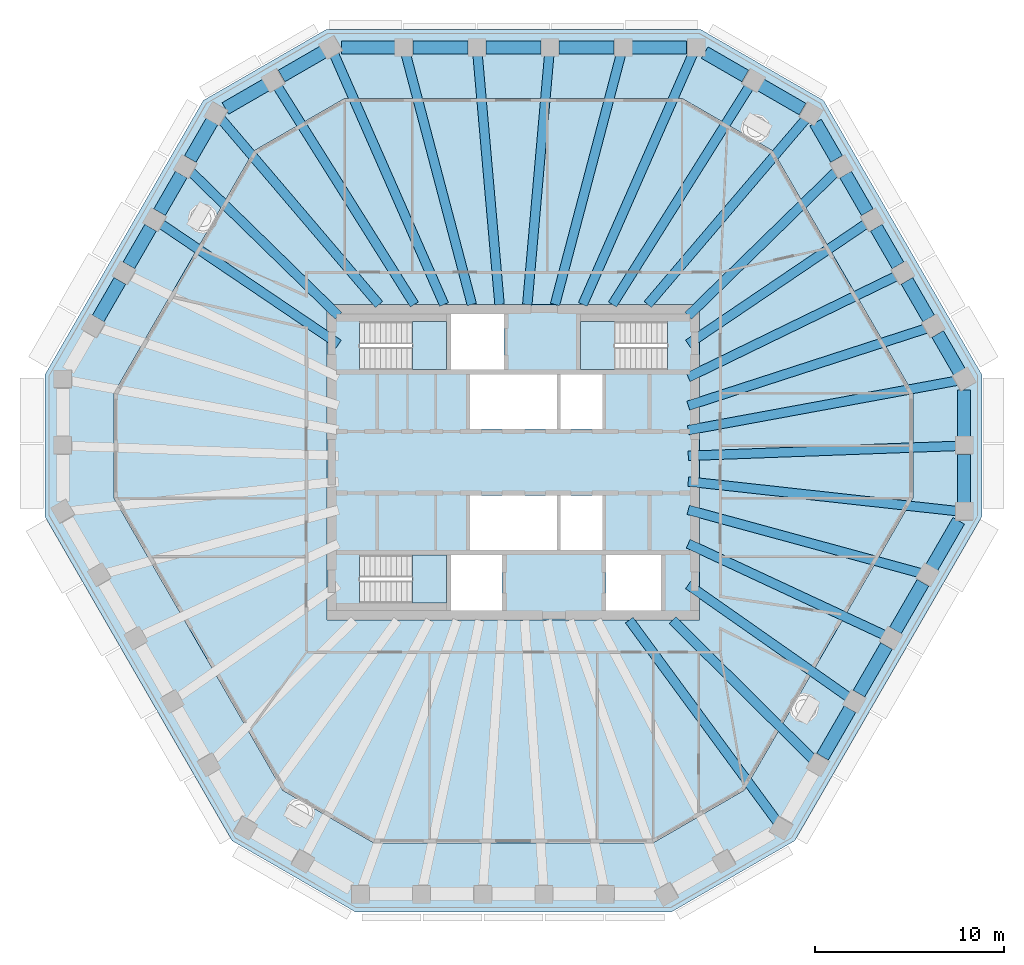
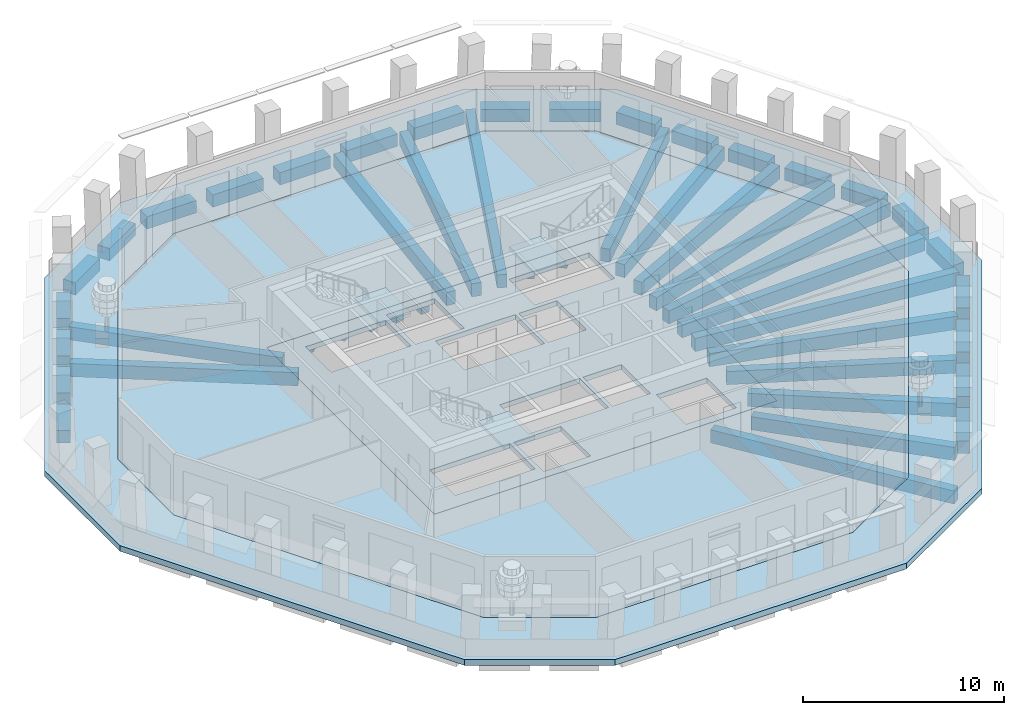
# One storey, part 2 of 12: 48 beams, 6 slabs, 3 elements without a shape of their own.
"""IFC4 building model written with IfcOpenShell, lengths in metres."""

from ifc_helpers import new_model, si_unit, direction, frame, origin, origin_2d, place, context, subcontext, project, spatial, polyline, rectangle, outline, extrude, material, layer, layer_set, material_profile, profile_set, type_object, element, aggregate, save


model = new_model("IFC4")

# Units and contexts
model_context = context("Model", 3, precision=1e-05, world=origin(), true_north=direction((0.0, 1.0)))
body_context = subcontext(model_context, "Body", "Model", "MODEL_VIEW")
ifc_project = project(units=[si_unit("LENGTHUNIT", "METRE"), si_unit("AREAUNIT", "SQUARE_METRE"), si_unit("VOLUMEUNIT", "CUBIC_METRE"), si_unit("PLANEANGLEUNIT", "RADIAN"), si_unit("MASSUNIT", "GRAM", prefix="KILO")], contexts=[model_context])

# Site, building, storey
site_placement = place(None, origin())
site = spatial("IfcSite", under=ifc_project, at=site_placement, CompositionType="ELEMENT")
building_placement = place(site_placement, origin())
building = spatial("IfcBuilding", under=site, at=building_placement, Name="Frailejon Research Tower", CompositionType="ELEMENT")
storey_placement = place(building_placement, frame((0.0, 0.0, 291.0)))
storey = spatial("IfcBuildingStorey", under=building, at=storey_placement, Name="L64", CompositionType="ELEMENT", Elevation=291.0)

# Beams
ifc_material_1 = material(Name="Concrete C60/75", Category="concrete")
ifc_material_profile_1 = material_profile(ifc_material_1, rectangle(XDim=0.5, YDim=0.800048828125, at=origin_2d()), Name="Girder 500x800")
ifc_profile_set_1 = profile_set([ifc_material_profile_1], Name="Concrete C60/75")
beam_type_1 = type_object("IfcBeamType", Name="Girder 500x800", PredefinedType="BEAM", material=ifc_profile_set_1)
beam_1_placement = place(storey_placement, frame((23.505859375, -2.586181640625, -0.699951171875), z_axis=(-0.994000877185, 0.109372099533, 0.0), x_axis=(-0.109372099533, -0.994000877185, 0.0)))
element("IfcBeam", 1, at=beam_1_placement, inside=storey, type_object=beam_type_1, Name="Girder 500x800", PredefinedType="BEAM", context=body_context, shape_type="SweptSolid", body=[
    extrude(rectangle(XDim=0.5, YDim=0.800048828125, at=origin_2d()), origin(), (0.0, 0.0, 1.0), 14.341796875),
])
beam_2_placement = place(storey_placement, frame((23.506591796875, 0.867919921875, -0.699951171875), z_axis=(-0.999319117049, -0.036895830403, 0.0), x_axis=(0.036895830403, -0.999319117049, 0.0)))
element("IfcBeam", 2, at=beam_2_placement, inside=storey, type_object=beam_type_1, Name="Girder 500x800", PredefinedType="BEAM", context=body_context, shape_type="SweptSolid", body=[
    extrude(rectangle(XDim=0.5, YDim=0.800048828125, at=origin_2d()), origin(), (0.0, 0.0, 1.0), 14.266357421875),
])
beam_3_placement = place(storey_placement, frame((23.4833984375, 4.31787109375, -0.699951171875), z_axis=(-0.983511667584, -0.180844683988, 0.0), x_axis=(0.180844683988, -0.983511667584, 0.0)))
element("IfcBeam", 3, at=beam_3_placement, inside=storey, type_object=beam_type_1, Name="Girder 500x800", PredefinedType="BEAM", context=body_context, shape_type="SweptSolid", body=[
    extrude(rectangle(XDim=0.5, YDim=0.800048828125, at=origin_2d()), origin(), (0.0, 0.0, 1.0), 14.471923828125),
])
beam_4_placement = place(storey_placement, frame((21.88818359375, 7.091552734375, -0.699951171875), z_axis=(-0.951314310857, -0.308222455312, 0.0), x_axis=(0.308222455312, -0.951314310857, 0.0)))
element("IfcBeam", 4, at=beam_4_placement, inside=storey, type_object=beam_type_1, Name="Girder 500x800", PredefinedType="BEAM", context=body_context, shape_type="SweptSolid", body=[
    extrude(rectangle(XDim=0.5, YDim=0.800048828125, at=origin_2d()), origin(), (0.0, 0.0, 1.0), 13.284912109375),
])
beam_5_placement = place(storey_placement, frame((20.2900390625, 9.86572265625, -0.699951171875), z_axis=(-0.899328316815, -0.437274031442, 0.0), x_axis=(0.437274031442, -0.899328316815, 0.0)))
element("IfcBeam", 5, at=beam_5_placement, inside=storey, type_object=beam_type_1, Name="Girder 500x800", PredefinedType="BEAM", context=body_context, shape_type="SweptSolid", body=[
    extrude(rectangle(XDim=0.5, YDim=0.800048828125, at=origin_2d()), origin(), (0.0, 0.0, 1.0), 12.27587890625),
])
beam_6_placement = place(storey_placement, frame((18.68896484375, 12.638916015625, -0.699951171875), z_axis=(-0.828360029245, -0.560196092407, 0.0), x_axis=(0.560196092407, -0.828360029245, 0.0)))
element("IfcBeam", 6, at=beam_6_placement, inside=storey, type_object=beam_type_1, Name="Girder 500x800", PredefinedType="BEAM", context=body_context, shape_type="SweptSolid", body=[
    extrude(rectangle(XDim=0.5, YDim=0.800048828125, at=origin_2d()), origin(), (0.0, 0.0, 1.0), 11.394775390625),
])
beam_7_placement = place(storey_placement, frame((17.091552734375, 15.397216796875, -0.699951171875), z_axis=(-0.715922424811, -0.698179834751, 0.0), x_axis=(0.698179834751, -0.715922424811, 0.0)))
element("IfcBeam", 7, at=beam_7_placement, inside=storey, type_object=beam_type_1, Name="Girder 500x800", PredefinedType="BEAM", context=body_context, shape_type="SweptSolid", body=[
    extrude(rectangle(XDim=0.5, YDim=0.800048828125, at=origin_2d()), origin(), (0.0, 0.0, 1.0), 10.953125),
])
beam_8_placement = place(storey_placement, frame((15.494873046875, 18.194580078125, -0.699951171875), z_axis=(-0.648365547361, -0.761329177817, 0.0), x_axis=(0.761329177817, -0.648365547361, 0.0)))
element("IfcBeam", 8, at=beam_8_placement, inside=storey, type_object=beam_type_1, Name="Girder 500x800", PredefinedType="BEAM", context=body_context, shape_type="SweptSolid", body=[
    extrude(rectangle(XDim=0.5, YDim=0.800048828125, at=origin_2d()), origin(), (0.0, 0.0, 1.0), 12.9306640625),
])
beam_9_placement = place(storey_placement, frame((12.505126953125, 19.923583984375, -0.699951171875), z_axis=(-0.531615242358, -0.846985970423, 0.0), x_axis=(0.846985970423, -0.531615242358, 0.0)))
element("IfcBeam", 9, at=beam_9_placement, inside=storey, type_object=beam_type_1, Name="Girder 500x800", PredefinedType="BEAM", context=body_context, shape_type="SweptSolid", body=[
    extrude(rectangle(XDim=0.5, YDim=0.800048828125, at=origin_2d()), origin(), (0.0, 0.0, 1.0), 13.664306640625),
])
beam_10_placement = place(storey_placement, frame((9.496826171875, 21.6123046875, -0.699951171875), z_axis=(-0.402291250072, -0.915511742205, 0.0), x_axis=(0.915511742205, -0.402291250072, 0.0)))
element("IfcBeam", 10, at=beam_10_placement, inside=storey, type_object=beam_type_1, Name="Girder 500x800", PredefinedType="BEAM", context=body_context, shape_type="SweptSolid", body=[
    extrude(rectangle(XDim=0.5, YDim=0.800048828125, at=origin_2d()), origin(), (0.0, 0.0, 1.0), 14.486083984375),
])
beam_11_placement = place(storey_placement, frame((5.7001953125, 21.6201171875, -0.699951171875), z_axis=(-0.254947744434, -0.966954832248, 0.0), x_axis=(0.966954832248, -0.254947744434, 0.0)))
element("IfcBeam", 11, at=beam_11_placement, inside=storey, type_object=beam_type_1, Name="Girder 500x800", PredefinedType="BEAM", context=body_context, shape_type="SweptSolid", body=[
    extrude(rectangle(XDim=0.5, YDim=0.800048828125, at=origin_2d()), origin(), (0.0, 0.0, 1.0), 13.7236328125),
])
for number, where, z_axis, x_axis, name in (
    (12, (1.900390625, 21.62451171875, -0.699951171875), (-0.087538766298, -0.996161113673, 0.0), (0.996161113673, -0.087538766298, 0.0), "Girder 500x800"),
    (13, (-1.900390625, 21.62451171875, -0.699951171875), (0.087538766298, -0.996161113673, 0.0), (0.996161113673, 0.087538766298, 0.0), "Girder 500x800"),
):
    element("IfcBeam", number, at=place(storey_placement, frame(where, z_axis=z_axis, x_axis=x_axis)), inside=storey, type_object=beam_type_1, Name=name, PredefinedType="BEAM", context=body_context, shape_type="SweptSolid", body=[
        extrude(rectangle(XDim=0.5, YDim=0.800048828125, at=origin_2d()), origin(), (0.0, 0.0, 1.0), 13.32568359375),
    ])
beam_12_placement = place(storey_placement, frame((-5.7001953125, 21.6201171875, -0.699951171875), z_axis=(0.254947744434, -0.966954832248, 0.0), x_axis=(0.966954832248, 0.254947744434, 0.0)))
element("IfcBeam", 14, at=beam_12_placement, inside=storey, type_object=beam_type_1, Name="Girder 500x800", PredefinedType="BEAM", context=body_context, shape_type="SweptSolid", body=[
    extrude(rectangle(XDim=0.5, YDim=0.800048828125, at=origin_2d()), origin(), (0.0, 0.0, 1.0), 13.7236328125),
])
beam_13_placement = place(storey_placement, frame((-9.51318359375, 21.64990234375, -0.699951171875), z_axis=(0.402281809753, -0.915515890382, 0.0), x_axis=(0.915515890382, 0.402281809753, 0.0)))
element("IfcBeam", 15, at=beam_13_placement, inside=storey, type_object=beam_type_1, Name="Girder 500x800", PredefinedType="BEAM", context=body_context, shape_type="SweptSolid", body=[
    extrude(rectangle(XDim=0.5, YDim=0.800048828125, at=origin_2d()), origin(), (0.0, 0.0, 1.0), 14.527099609375),
])
beam_14_placement = place(storey_placement, frame((-12.505126953125, 19.923583984375, -0.699951171875), z_axis=(0.531615242358, -0.846985970423, 0.0), x_axis=(0.846985970423, 0.531615242358, 0.0)))
element("IfcBeam", 16, at=beam_14_placement, inside=storey, type_object=beam_type_1, Name="Girder 500x800", PredefinedType="BEAM", context=body_context, shape_type="SweptSolid", body=[
    extrude(rectangle(XDim=0.5, YDim=0.800048828125, at=origin_2d()), origin(), (0.0, 0.0, 1.0), 13.664306640625),
])
beam_15_placement = place(storey_placement, frame((-15.481201171875, 18.178466796875, -0.699951171875), z_axis=(0.648367817811, -0.761327244243, 0.0), x_axis=(0.761327244243, 0.648367817811, 0.0)))
element("IfcBeam", 17, at=beam_15_placement, inside=storey, type_object=beam_type_1, Name="Girder 500x800", PredefinedType="BEAM", context=body_context, shape_type="SweptSolid", body=[
    extrude(rectangle(XDim=0.5, YDim=0.800048828125, at=origin_2d()), origin(), (0.0, 0.0, 1.0), 12.909423828125),
])
beam_16_placement = place(storey_placement, frame((-17.091552734375, 15.397216796875, -0.699951171875), z_axis=(0.715922424811, -0.698179834751, 0.0), x_axis=(0.698179834751, 0.715922424811, 0.0)))
element("IfcBeam", 18, at=beam_16_placement, inside=storey, type_object=beam_type_1, Name="Girder 500x800", PredefinedType="BEAM", context=body_context, shape_type="SweptSolid", body=[
    extrude(rectangle(XDim=0.5, YDim=0.800048828125, at=origin_2d()), origin(), (0.0, 0.0, 1.0), 10.953125),
])
beam_17_placement = place(storey_placement, frame((-18.68896484375, 12.638916015625, -0.699951171875), z_axis=(0.828360029245, -0.560196092407, 0.0), x_axis=(0.560196092407, 0.828360029245, 0.0)))
element("IfcBeam", 19, at=beam_17_placement, inside=storey, type_object=beam_type_1, Name="Girder 500x800", PredefinedType="BEAM", context=body_context, shape_type="SweptSolid", body=[
    extrude(rectangle(XDim=0.5, YDim=0.800048828125, at=origin_2d()), origin(), (0.0, 0.0, 1.0), 11.394775390625),
])
beam_18_placement = place(storey_placement, frame((13.968505859375, -19.03076171875, -0.699951171875), z_axis=(-0.591712711281, 0.806148911373, 0.0), x_axis=(-0.806148911373, -0.591712711281, 0.0)))
element("IfcBeam", 20, at=beam_18_placement, inside=storey, type_object=beam_type_1, Name="Girder 500x800", PredefinedType="BEAM", context=body_context, shape_type="SweptSolid", body=[
    extrude(rectangle(XDim=0.5, YDim=0.800048828125, at=origin_2d()), origin(), (0.0, 0.0, 1.0), 13.2490234375),
])
beam_19_placement = place(storey_placement, frame((15.873291015625, -15.74658203125, -0.699951171875), z_axis=(-0.70993712297, 0.704265064751, 0.0), x_axis=(-0.704265064751, -0.70993712297, 0.0)))
element("IfcBeam", 21, at=beam_19_placement, inside=storey, type_object=beam_type_1, Name="Girder 500x800", PredefinedType="BEAM", context=body_context, shape_type="SweptSolid", body=[
    extrude(rectangle(XDim=0.5, YDim=0.800048828125, at=origin_2d()), origin(), (0.0, 0.0, 1.0), 10.50244140625),
])
beam_20_placement = place(storey_placement, frame((17.777099609375, -12.4580078125, -0.699951171875), z_axis=(-0.818933293048, 0.573888718775, 0.0), x_axis=(-0.573888718775, -0.818933293048, 0.0)))
element("IfcBeam", 22, at=beam_20_placement, inside=storey, type_object=beam_type_1, Name="Girder 500x800", PredefinedType="BEAM", context=body_context, shape_type="SweptSolid", body=[
    extrude(rectangle(XDim=0.5, YDim=0.800048828125, at=origin_2d()), origin(), (0.0, 0.0, 1.0), 10.412353515625),
])
beam_21_placement = place(storey_placement, frame((19.677490234375, -9.16650390625, -0.699951171875), z_axis=(-0.906465965262, 0.422278881572, 0.0), x_axis=(-0.422278881572, -0.906465965262, 0.0)))
element("IfcBeam", 23, at=beam_21_placement, inside=storey, type_object=beam_type_1, Name="Girder 500x800", PredefinedType="BEAM", context=body_context, shape_type="SweptSolid", body=[
    extrude(rectangle(XDim=0.5, YDim=0.800048828125, at=origin_2d()), origin(), (0.0, 0.0, 1.0), 11.50341796875),
])
beam_22_placement = place(storey_placement, frame((21.573486328125, -5.87353515625, -0.699951171875), z_axis=(-0.9648775399, 0.262700081836, 0.0), x_axis=(-0.262700081836, -0.9648775399, 0.0)))
element("IfcBeam", 24, at=beam_22_placement, inside=storey, type_object=beam_type_1, Name="Girder 500x800", PredefinedType="BEAM", context=body_context, shape_type="SweptSolid", body=[
    extrude(rectangle(XDim=0.5, YDim=0.800048828125, at=origin_2d()), origin(), (0.0, 0.0, 1.0), 12.77197265625),
])
ifc_material_2 = material(Name="Concrete C60/75", Category="concrete")
ifc_material_profile_2 = material_profile(ifc_material_2, rectangle(XDim=0.699951171875, YDim=0.75, at=origin_2d()), Name="Spandrel 700x750")
ifc_profile_set_2 = profile_set([ifc_material_profile_2], Name="Concrete C60/75")
beam_type_2 = type_object("IfcBeamType", Name="Spandrel 700x750", PredefinedType="BEAM", material=ifc_profile_set_2)
beam_23_placement = place(storey_placement, frame((23.831787109375, -2.14697265625, -0.72509765625), z_axis=(0.0, 1.0, 0.0), x_axis=(-1.0, 0.0, 0.0)))
element("IfcBeam", 25, at=beam_23_placement, inside=storey, type_object=beam_type_2, Name="Spandrel 700x750", PredefinedType="BEAM", context=body_context, shape_type="SweptSolid", body=[
    extrude(rectangle(XDim=0.699951171875, YDim=0.75, at=origin_2d()), origin(), (0.0, 0.0, 1.0), 2.5517578125),
])
beam_24_placement = place(storey_placement, frame((23.831787109375, 1.35498046875, -0.72509765625), z_axis=(0.0, 1.0, 0.0), x_axis=(-1.0, 0.0, 0.0)))
element("IfcBeam", 26, at=beam_24_placement, inside=storey, type_object=beam_type_2, Name="Spandrel 700x750", PredefinedType="BEAM", context=body_context, shape_type="SweptSolid", body=[
    extrude(rectangle(XDim=0.699951171875, YDim=0.75, at=origin_2d()), origin(), (0.0, 0.0, 1.0), 2.478515625),
])
beam_25_placement = place(storey_placement, frame((23.59423828125, 4.793212890625, -0.72509765625), z_axis=(-0.499989105942, 0.866031693381, 0.0), x_axis=(-0.866031693381, -0.499989105942, 0.0)))
element("IfcBeam", 27, at=beam_25_placement, inside=storey, type_object=beam_type_2, Name="Spandrel 700x750", PredefinedType="BEAM", context=body_context, shape_type="SweptSolid", body=[
    extrude(rectangle(XDim=0.699951171875, YDim=0.75, at=origin_2d()), origin(), (0.0, 0.0, 1.0), 2.29833984375),
])
beam_26_placement = place(storey_placement, frame((21.97021484375, 7.6064453125, -0.72509765625), z_axis=(-0.500068767595, 0.865985697154, 0.0), x_axis=(-0.865985697154, -0.500068767595, 0.0)))
element("IfcBeam", 28, at=beam_26_placement, inside=storey, type_object=beam_type_2, Name="Spandrel 700x750", PredefinedType="BEAM", context=body_context, shape_type="SweptSolid", body=[
    extrude(rectangle(XDim=0.699951171875, YDim=0.75, at=origin_2d()), origin(), (0.0, 0.0, 1.0), 2.298583984375),
])
beam_27_placement = place(storey_placement, frame((20.345947265625, 10.419921875, -0.72509765625), z_axis=(-0.500035104473, 0.866005135259, 0.0), x_axis=(-0.866005135259, -0.500035104473, 0.0)))
element("IfcBeam", 29, at=beam_27_placement, inside=storey, type_object=beam_type_2, Name="Spandrel 700x750", PredefinedType="BEAM", context=body_context, shape_type="SweptSolid", body=[
    extrude(rectangle(XDim=0.699951171875, YDim=0.75, at=origin_2d()), origin(), (0.0, 0.0, 1.0), 2.298095703125),
])
beam_28_placement = place(storey_placement, frame((18.7216796875, 13.23291015625, -0.72509765625), z_axis=(-0.499989105942, 0.866031693381, 0.0), x_axis=(-0.866031693381, -0.499989105942, 0.0)))
element("IfcBeam", 30, at=beam_28_placement, inside=storey, type_object=beam_type_2, Name="Spandrel 700x750", PredefinedType="BEAM", context=body_context, shape_type="SweptSolid", body=[
    extrude(rectangle(XDim=0.699951171875, YDim=0.75, at=origin_2d()), origin(), (0.0, 0.0, 1.0), 2.29833984375),
])
beam_29_placement = place(storey_placement, frame((17.097412109375, 16.046142578125, -0.72509765625), z_axis=(-0.499963101113, 0.866046706318, 0.0), x_axis=(-0.866046706318, -0.499963101113, 0.0)))
element("IfcBeam", 31, at=beam_29_placement, inside=storey, type_object=beam_type_2, Name="Spandrel 700x750", PredefinedType="BEAM", context=body_context, shape_type="SweptSolid", body=[
    extrude(rectangle(XDim=0.699951171875, YDim=0.75, at=origin_2d()), origin(), (0.0, 0.0, 1.0), 2.224853515625),
])
beam_30_placement = place(storey_placement, frame((15.29931640625, 18.685546875, -0.72509765625), z_axis=(-0.866032638483, 0.499987468925, 0.0), x_axis=(-0.499987468925, -0.866032638483, 0.0)))
element("IfcBeam", 32, at=beam_30_placement, inside=storey, type_object=beam_type_2, Name="Spandrel 700x750", PredefinedType="BEAM", context=body_context, shape_type="SweptSolid", body=[
    extrude(rectangle(XDim=0.699951171875, YDim=0.75, at=origin_2d()), origin(), (0.0, 0.0, 1.0), 2.5517578125),
])
beam_31_placement = place(storey_placement, frame((12.2666015625, 20.4365234375, -0.72509765625), z_axis=(-0.866028115054, 0.499995303914, 0.0), x_axis=(-0.499995303914, -0.866028115054, 0.0)))
element("IfcBeam", 33, at=beam_31_placement, inside=storey, type_object=beam_type_2, Name="Spandrel 700x750", PredefinedType="BEAM", context=body_context, shape_type="SweptSolid", body=[
    extrude(rectangle(XDim=0.699951171875, YDim=0.75, at=origin_2d()), origin(), (0.0, 0.0, 1.0), 2.478515625),
])
for number, where, z_axis, x_axis, name in (
    (34, (9.170166015625, 21.949951171875, -0.72509765625), (-1.0, 0.0, 0.0), (0.0, -1.0, 0.0), "Spandrel 700x750"),
    (35, (5.31201171875, 21.949951171875, -0.72509765625), (-1.0, 0.0, 0.0), (0.0, -1.0, 0.0), "Spandrel 700x750"),
):
    element("IfcBeam", number, at=place(storey_placement, frame(where, z_axis=z_axis, x_axis=x_axis)), inside=storey, type_object=beam_type_2, Name=name, PredefinedType="BEAM", context=body_context, shape_type="SweptSolid", body=[
        extrude(rectangle(XDim=0.699951171875, YDim=0.75, at=origin_2d()), origin(), (0.0, 0.0, 1.0), 2.907958984375),
    ])
beam_32_placement = place(storey_placement, frame((1.4541015625, 21.949951171875, -0.72509765625), z_axis=(-1.0, 0.0, 0.0), x_axis=(0.0, -1.0, 0.0)))
element("IfcBeam", 36, at=beam_32_placement, inside=storey, type_object=beam_type_2, Name="Spandrel 700x750", PredefinedType="BEAM", context=body_context, shape_type="SweptSolid", body=[
    extrude(rectangle(XDim=0.699951171875, YDim=0.75, at=origin_2d()), origin(), (0.0, 0.0, 1.0), 2.908203125),
])
beam_33_placement = place(storey_placement, frame((-2.404052734375, 21.949951171875, -0.72509765625), z_axis=(-1.0, 0.0, 0.0), x_axis=(0.0, -1.0, 0.0)))
element("IfcBeam", 37, at=beam_33_placement, inside=storey, type_object=beam_type_2, Name="Spandrel 700x750", PredefinedType="BEAM", context=body_context, shape_type="SweptSolid", body=[
    extrude(rectangle(XDim=0.699951171875, YDim=0.75, at=origin_2d()), origin(), (0.0, 0.0, 1.0), 2.907958984375),
])
beam_34_placement = place(storey_placement, frame((-6.26220703125, 21.949951171875, -0.72509765625), z_axis=(-1.0, 0.0, 0.0), x_axis=(0.0, -1.0, 0.0)))
element("IfcBeam", 38, at=beam_34_placement, inside=storey, type_object=beam_type_2, Name="Spandrel 700x750", PredefinedType="BEAM", context=body_context, shape_type="SweptSolid", body=[
    extrude(rectangle(XDim=0.699951171875, YDim=0.75, at=origin_2d()), origin(), (0.0, 0.0, 1.0), 2.83447265625),
])
beam_35_placement = place(storey_placement, frame((-10.056640625, 21.71240234375, -0.72509765625), z_axis=(-0.866032638483, -0.499987468925, 0.0), x_axis=(0.499987468925, -0.866032638483, 0.0)))
element("IfcBeam", 39, at=beam_35_placement, inside=storey, type_object=beam_type_2, Name="Spandrel 700x750", PredefinedType="BEAM", context=body_context, shape_type="SweptSolid", body=[
    extrude(rectangle(XDim=0.699951171875, YDim=0.75, at=origin_2d()), origin(), (0.0, 0.0, 1.0), 2.5517578125),
])
beam_36_placement = place(storey_placement, frame((-13.08935546875, 19.96142578125, -0.72509765625), z_axis=(-0.866028115054, -0.499995303914, 0.0), x_axis=(0.499995303914, -0.866028115054, 0.0)))
element("IfcBeam", 40, at=beam_36_placement, inside=storey, type_object=beam_type_2, Name="Spandrel 700x750", PredefinedType="BEAM", context=body_context, shape_type="SweptSolid", body=[
    extrude(rectangle(XDim=0.699951171875, YDim=0.75, at=origin_2d()), origin(), (0.0, 0.0, 1.0), 2.478515625),
])
for number, where, z_axis, x_axis, name in (
    (41, (-15.9482421875, 18.03662109375, -0.72509765625), (-0.499989105942, -0.866031693381, 0.0), (0.866031693381, -0.499989105942, 0.0), "Spandrel 700x750"),
    (42, (-17.572509765625, 15.223388671875, -0.72509765625), (-0.499989105942, -0.866031693381, 0.0), (0.866031693381, -0.499989105942, 0.0), "Spandrel 700x750"),
):
    element("IfcBeam", number, at=place(storey_placement, frame(where, z_axis=z_axis, x_axis=x_axis)), inside=storey, type_object=beam_type_2, Name=name, PredefinedType="BEAM", context=body_context, shape_type="SweptSolid", body=[
        extrude(rectangle(XDim=0.699951171875, YDim=0.75, at=origin_2d()), origin(), (0.0, 0.0, 1.0), 2.29833984375),
    ])
beam_37_placement = place(storey_placement, frame((-19.19677734375, 12.41015625, -0.72509765625), z_axis=(-0.500035104473, -0.866005135259, 0.0), x_axis=(0.866005135259, -0.500035104473, 0.0)))
element("IfcBeam", 43, at=beam_37_placement, inside=storey, type_object=beam_type_2, Name="Spandrel 700x750", PredefinedType="BEAM", context=body_context, shape_type="SweptSolid", body=[
    extrude(rectangle(XDim=0.699951171875, YDim=0.75, at=origin_2d()), origin(), (0.0, 0.0, 1.0), 2.298095703125),
])
beam_38_placement = place(storey_placement, frame((-20.82080078125, 9.596923828125, -0.72509765625), z_axis=(-0.500068767595, -0.865985697154, 0.0), x_axis=(0.865985697154, -0.500068767595, 0.0)))
element("IfcBeam", 44, at=beam_38_placement, inside=storey, type_object=beam_type_2, Name="Spandrel 700x750", PredefinedType="BEAM", context=body_context, shape_type="SweptSolid", body=[
    extrude(rectangle(XDim=0.699951171875, YDim=0.75, at=origin_2d()), origin(), (0.0, 0.0, 1.0), 2.298583984375),
])
for number, where, z_axis, x_axis, name in (
    (45, (16.353271484375, -15.575439453125, -0.72509765625), (0.499940473352, 0.866059768783, 0.0), (-0.866059768783, 0.499940473352, 0.0), "Spandrel 700x750"),
    (46, (18.2822265625, -12.234130859375, -0.72509765625), (0.500039792765, 0.866002428202, 0.0), (-0.866002428202, 0.500039792765, 0.0), "Spandrel 700x750"),
):
    element("IfcBeam", number, at=place(storey_placement, frame(where, z_axis=z_axis, x_axis=x_axis)), inside=storey, type_object=beam_type_2, Name=name, PredefinedType="BEAM", context=body_context, shape_type="SweptSolid", body=[
        extrude(rectangle(XDim=0.699951171875, YDim=0.75, at=origin_2d()), origin(), (0.0, 0.0, 1.0), 2.907958984375),
    ])
beam_39_placement = place(storey_placement, frame((20.211181640625, -8.89306640625, -0.72509765625), z_axis=(0.50000343918, 0.866023418164, 0.0), x_axis=(-0.866023418164, 0.50000343918, 0.0)))
element("IfcBeam", 47, at=beam_39_placement, inside=storey, type_object=beam_type_2, Name="Spandrel 700x750", PredefinedType="BEAM", context=body_context, shape_type="SweptSolid", body=[
    extrude(rectangle(XDim=0.699951171875, YDim=0.75, at=origin_2d()), origin(), (0.0, 0.0, 1.0), 2.908203125),
])
beam_40_placement = place(storey_placement, frame((22.140380859375, -5.5517578125, -0.72509765625), z_axis=(0.499983401189, 0.8660349869, 0.0), x_axis=(-0.8660349869, 0.499983401189, 0.0)))
element("IfcBeam", 48, at=beam_40_placement, inside=storey, type_object=beam_type_2, Name="Spandrel 700x750", PredefinedType="BEAM", context=body_context, shape_type="SweptSolid", body=[
    extrude(rectangle(XDim=0.699951171875, YDim=0.75, at=origin_2d()), origin(), (0.0, 0.0, 1.0), 2.83447265625),
])

# Slabs
ifc_material_3 = material(Name="Concrete C50/60", Category="concrete")
ifc_layer_1 = layer(ifc_material_3, 0.300048828125)
ifc_layer_set_1 = layer_set([ifc_layer_1], Name="Core floor slab 300 C50/60")
slab_type_1 = type_object("IfcSlabType", Name="Core floor slab 300 C50/60", PredefinedType="FLOOR", material=ifc_layer_set_1)
slab_1_placement = place(storey_placement, frame((0.0, 0.0, -0.300048828125)))
element("IfcSlab", 49, at=slab_1_placement, inside=storey, type_object=slab_type_1, Name="Core floor slab", PredefinedType="FLOOR", context=body_context, shape_type="SweptSolid", body=[
    extrude(outline(polyline([(9.85009765625, -8.35009765625), (9.85009765625, 8.35009765625), (-9.85009765625, 8.35009765625), (-9.85009765625, -8.35009765625), (9.85009765625, -8.35009765625)]), holes=[polyline([(2.300048828125, 1.75), (2.300048828125, 4.64990234375), (-2.300048828125, 4.64990234375), (-2.300048828125, 1.75), (2.300048828125, 1.75)]), polyline([(4.699951171875, 1.75), (4.699951171875, 4.64990234375), (2.5, 4.64990234375), (2.5, 1.75), (4.699951171875, 1.75)]), polyline([(2.300048828125, -4.64990234375), (2.300048828125, -1.75), (-2.300048828125, -1.75), (-2.300048828125, -4.64990234375), (2.300048828125, -4.64990234375)]), polyline([(4.699951171875, -4.64990234375), (4.699951171875, -1.75), (2.5, -1.75), (2.5, -4.64990234375), (4.699951171875, -4.64990234375)]), polyline([(-8.14697265625, 4.89990234375), (-3.550048828125, 4.89990234375), (-3.550048828125, 7.449951171875), (-8.14697265625, 7.449951171875), (-8.14697265625, 4.89990234375)]), polyline([(-8.14697265625, -7.449951171875), (-3.550048828125, -7.449951171875), (-3.550048828125, -4.89990234375), (-8.14697265625, -4.89990234375), (-8.14697265625, -7.449951171875)]), polyline([(8.14697265625, 7.449951171875), (3.550048828125, 7.449951171875), (3.550048828125, 4.89990234375), (8.14697265625, 4.89990234375), (8.14697265625, 7.449951171875)]), polyline([(-0.60009765625, -7.85009765625), (-0.60009765625, -4.89990234375), (-3.300048828125, -4.89990234375), (-3.300048828125, -7.85009765625), (-0.60009765625, -7.85009765625)]), polyline([(7.800048828125, -7.85009765625), (7.800048828125, -4.89990234375), (4.89990234375, -4.89990234375), (4.89990234375, -7.85009765625), (7.800048828125, -7.85009765625)]), polyline([(-0.5, 4.89990234375), (-0.5, 7.85009765625), (-3.300048828125, 7.85009765625), (-3.300048828125, 4.89990234375), (-0.5, 4.89990234375)])]), origin(), (0.0, 0.0, 1.0), 0.300048828125),
])
ifc_material_4 = material(Name="Concrete C40/50", Category="concrete")
ifc_layer_2 = layer(ifc_material_4, 0.35009765625)
ifc_layer_set_2 = layer_set([ifc_layer_2], Name="Loggia slab 350")
slab_type_2 = type_object("IfcSlabType", Name="Loggia slab 350", PredefinedType="USERDEFINED", material=ifc_layer_set_2)
slab_2_placement = place(storey_placement, frame((0.0, 0.0, -0.35009765625)))
element("IfcSlab", 50, at=slab_2_placement, inside=storey, type_object=slab_type_2, Name="Loggia slab L64", ObjectType="LOGGIA", PredefinedType="USERDEFINED", context=body_context, shape_type="SweptSolid", body=[
    extrude(outline(polyline([(14.882080078125, -20.0234375), (8.37548828125, -23.77978515625), (-8.37548828125, -23.77978515625), (-14.882080078125, -20.0234375), (-24.78173828125, -2.876708984375), (-24.78173828125, 4.636474609375), (-16.40625, 19.1435546875), (-9.899658203125, 22.89990234375), (9.899658203125, 22.89990234375), (16.40625, 19.1435546875), (24.78173828125, 4.636474609375), (24.78173828125, -2.876708984375), (14.882080078125, -20.0234375)]), holes=[polyline([(21.1318359375, 3.658447265625), (13.734130859375, 16.471435546875), (8.921630859375, 19.25), (-8.921630859375, 19.25), (-13.734130859375, 16.471435546875), (-21.1318359375, 3.658447265625), (-21.1318359375, -1.898681640625), (-12.210205078125, -17.351318359375), (-7.397705078125, -20.1298828125), (7.397705078125, -20.1298828125), (12.210205078125, -17.351318359375), (21.1318359375, -1.898681640625), (21.1318359375, 3.658447265625)])]), origin(), (0.0, 0.0, 1.0), 0.35009765625),
])
ifc_material_5 = material(Name="Concrete C40/50", Category="concrete")
ifc_layer_3 = layer(ifc_material_5, 0.300048828125)
ifc_layer_set_3 = layer_set([ifc_layer_3], Name="Slab typical 300")
slab_type_3 = type_object("IfcSlabType", Name="Slab typical 300", PredefinedType="FLOOR", material=ifc_layer_set_3)
slab_3_placement = place(storey_placement, frame((0.0, 0.0, -0.300048828125)))
element("IfcSlab", 51, at=slab_3_placement, inside=storey, type_object=slab_type_3, Name="Floor slab L64", PredefinedType="FLOOR", context=body_context, shape_type="SweptSolid", body=[
    extrude(outline(polyline([(21.1318359375, -1.898681640625), (21.1318359375, 3.658447265625), (13.734130859375, 16.471435546875), (8.921630859375, 19.25), (-8.921630859375, 19.25), (-13.734130859375, 16.471435546875), (-21.1318359375, 3.658447265625), (-21.1318359375, -1.898681640625), (-12.210205078125, -17.351318359375), (-7.397705078125, -20.1298828125), (7.397705078125, -20.1298828125), (12.210205078125, -17.351318359375), (21.1318359375, -1.898681640625)]), holes=[polyline([(9.25, 8.35009765625), (9.85009765625, 8.35009765625), (9.85009765625, -8.35009765625), (9.25, -8.35009765625), (-9.25, -8.35009765625), (-9.85009765625, -8.35009765625), (-9.85009765625, 8.35009765625), (-9.25, 8.35009765625), (9.25, 8.35009765625)])]), origin(), (0.0, 0.0, 1.0), 0.300048828125),
])

# Stair, slab
ifc_material_6 = material(Name="Concrete C50/60", Category="concrete")
stair_type = type_object("IfcStairType", Name="Exit stair 22 risers", PredefinedType="HALF_TURN_STAIR", material=ifc_material_6)
stair_1_placement = place(storey_placement, origin())
stair_1 = element("IfcStair", 52, at=stair_1_placement, inside=storey, type_object=stair_type, Name="L64 Exit stair ST1", PredefinedType="HALF_TURN_STAIR")
ifc_material_7 = material(Name="Concrete C50/60", Category="concrete")
ifc_layer_4 = layer(ifc_material_7, 0.199951171875)
ifc_layer_set_4 = layer_set([ifc_layer_4], Name="Stair landing slab 200")
slab_type_4 = type_object("IfcSlabType", Name="Stair landing slab 200", PredefinedType="LANDING", material=ifc_layer_set_4)
slab_4_placement = place(storey_placement, frame((0.0, 0.0, 1.800048828125)))
slab_4 = element("IfcSlab", 53, at=slab_4_placement, type_object=slab_type_4, Name="ST1 landing 1", PredefinedType="LANDING", context=body_context, shape_type="SweptSolid", body=[
    extrude(outline(polyline([(-5.35009765625, 4.89990234375), (-3.550048828125, 4.89990234375), (-3.550048828125, 7.449951171875), (-5.35009765625, 7.449951171875), (-5.35009765625, 4.89990234375)])), origin(), (0.0, 0.0, 1.0), 0.199951171875),
])
aggregate(stair_1, [slab_4])

stair_2_placement = place(storey_placement, origin())
stair_2 = element("IfcStair", 54, at=stair_2_placement, inside=storey, type_object=stair_type, Name="L64 Exit stair ST2", PredefinedType="HALF_TURN_STAIR")
slab_5_placement = place(storey_placement, frame((0.0, 0.0, 1.800048828125)))
slab_5 = element("IfcSlab", 55, at=slab_5_placement, type_object=slab_type_4, Name="ST2 landing 1", PredefinedType="LANDING", context=body_context, shape_type="SweptSolid", body=[
    extrude(outline(polyline([(-5.35009765625, -7.449951171875), (-3.550048828125, -7.449951171875), (-3.550048828125, -4.89990234375), (-5.35009765625, -4.89990234375), (-5.35009765625, -7.449951171875)])), origin(), (0.0, 0.0, 1.0), 0.199951171875),
])
aggregate(stair_2, [slab_5])

stair_3_placement = place(storey_placement, origin())
stair_3 = element("IfcStair", 56, at=stair_3_placement, inside=storey, type_object=stair_type, Name="L64 Exit stair ST3", PredefinedType="HALF_TURN_STAIR")
slab_6_placement = place(storey_placement, frame((0.0, 0.0, 1.800048828125)))
slab_6 = element("IfcSlab", 57, at=slab_6_placement, type_object=slab_type_4, Name="ST3 landing 1", PredefinedType="LANDING", context=body_context, shape_type="SweptSolid", body=[
    extrude(outline(polyline([(5.35009765625, 7.449951171875), (3.550048828125, 7.449951171875), (3.550048828125, 4.89990234375), (5.35009765625, 4.89990234375), (5.35009765625, 7.449951171875)])), origin(), (0.0, 0.0, 1.0), 0.199951171875),
])
aggregate(stair_3, [slab_6])

save(model, "model.ifc")
